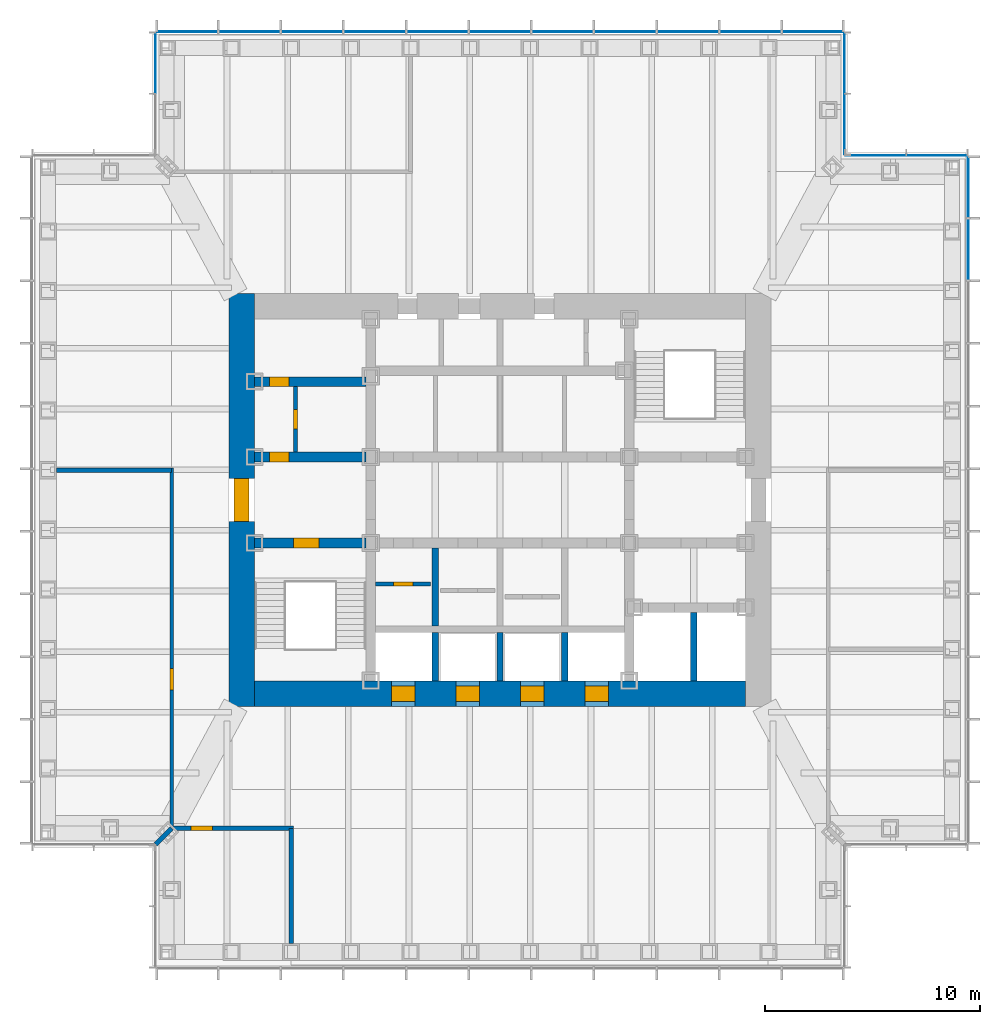
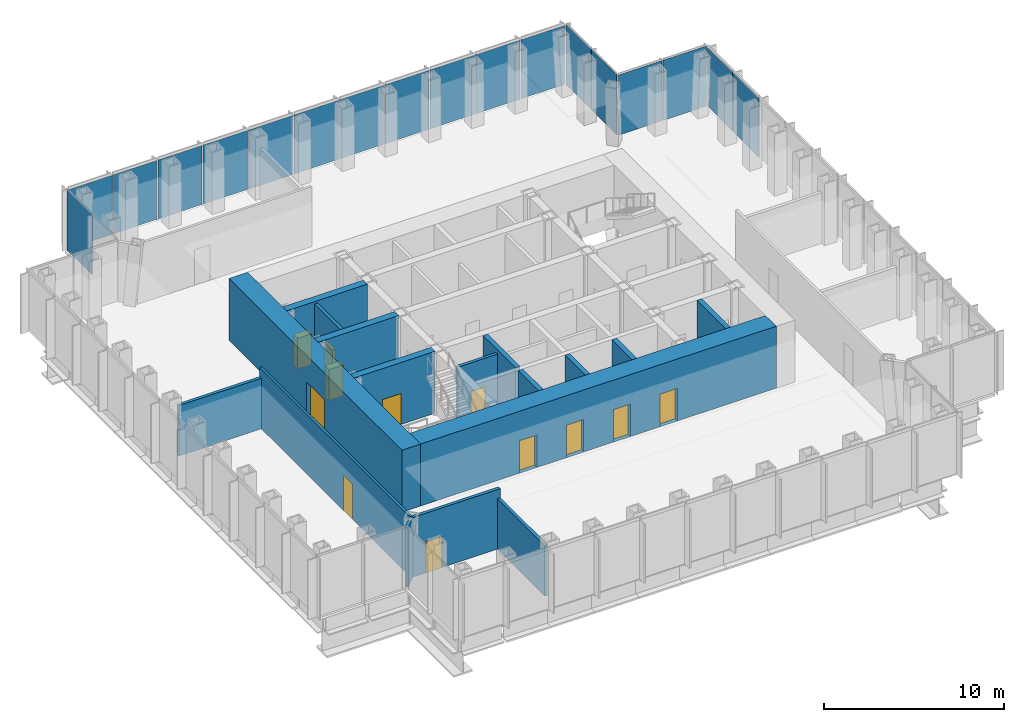
# One storey, part 8 of 14: 18 plates, 17 walls, 12 doors, 12 openings, 5 elements without a shape of their own.
"""IFC4 building model written with IfcOpenShell, lengths in metres."""

from ifc_helpers import new_model, si_unit, direction, frame, frame_2d, origin, origin_2d, place, context, subcontext, project, spatial, rectangle, extrude, material, layer, layer_set, type_object, element, fill, aggregate, save


model = new_model("IFC4")

# Units and contexts
model_context = context("Model", 3, precision=1e-05, world=origin(), true_north=direction((0.0, 1.0)))
body_context = subcontext(model_context, "Body", "Model", "MODEL_VIEW")
ifc_project = project(units=[si_unit("LENGTHUNIT", "METRE"), si_unit("AREAUNIT", "SQUARE_METRE"), si_unit("VOLUMEUNIT", "CUBIC_METRE"), si_unit("PLANEANGLEUNIT", "RADIAN"), si_unit("MASSUNIT", "GRAM", prefix="KILO")], contexts=[model_context])

# Site, building, storey
site_placement = place(None, origin())
site = spatial("IfcSite", under=ifc_project, at=site_placement, CompositionType="ELEMENT")
building_placement = place(site_placement, origin())
building = spatial("IfcBuilding", under=site, at=building_placement, Name="Daluyong Arena Tower", CompositionType="ELEMENT")
storey_placement = place(building_placement, frame((0.0, 0.0, 250.300048828125)))
storey = spatial("IfcBuildingStorey", under=building, at=storey_placement, Name="L56", CompositionType="ELEMENT", Elevation=250.300048828125)

# Curtain wall, plates
ifc_material_1 = material(Name="Bronze anodised aluminium and glass", Category="aluminium")
curtain_wall_type_1 = type_object("IfcCurtainWallType", Name="Curtain wall CW4", PredefinedType="USERDEFINED", material=ifc_material_1)
curtain_wall_1_placement = place(storey_placement, origin())
curtain_wall_1 = element("IfcCurtainWall", 1, at=curtain_wall_1_placement, inside=storey, type_object=curtain_wall_type_1, Name="curtain wall L56 E", ObjectType="UNITISED CURTAIN WALL", PredefinedType="USERDEFINED")
ifc_material_2 = material(Name="Tinted laminated double glazed unit", Category="glass")
ifc_layer_1 = layer(ifc_material_2, 0.035888671875)
ifc_layer_set_1 = layer_set([ifc_layer_1], Name="Tinted laminated double glazed unit")
plate_type_1 = type_object("IfcPlateType", Name="CW4 panel 36", PredefinedType="CURTAIN_PANEL", material=ifc_layer_set_1)
plate_1_placement = place(storey_placement, frame((77.75, 91.636474609375, 0.0), z_axis=(0.0, 0.0, 1.0), x_axis=(0.0, 1.0, 0.0)))
plate_1 = element("IfcPlate", 2, at=plate_1_placement, type_object=plate_type_1, Name="curtain wall L56 E panel 10", PredefinedType="CURTAIN_PANEL", context=body_context, shape_type="SweptSolid", body=[
    extrude(rectangle(XDim=2.819091796875, YDim=0.035888671875, at=origin_2d()), origin(), (0.0, 0.0, 1.0), 4.0),
])
plate_2_placement = place(storey_placement, frame((77.75, 94.52294921875, 0.0), z_axis=(0.0, 0.0, 1.0), x_axis=(0.0, 1.0, 0.0)))
plate_2 = element("IfcPlate", 3, at=plate_2_placement, type_object=plate_type_1, Name="curtain wall L56 E panel 11", PredefinedType="CURTAIN_PANEL", context=body_context, shape_type="SweptSolid", body=[
    extrude(rectangle(XDim=2.774169921875, YDim=0.035888671875, at=origin_2d()), origin(), (0.0, 0.0, 1.0), 4.0),
])
aggregate(curtain_wall_1, [plate_1, plate_2])

curtain_wall_2_placement = place(storey_placement, origin())
curtain_wall_2 = element("IfcCurtainWall", 4, at=curtain_wall_2_placement, inside=storey, type_object=curtain_wall_type_1, Name="curtain wall L56 N", ObjectType="UNITISED CURTAIN WALL", PredefinedType="USERDEFINED")
plate_3_placement = place(storey_placement, frame((70.52294921875, 101.75, 0.0), z_axis=(0.0, 0.0, 1.0), x_axis=(-1.0, 0.0, 0.0)))
plate_3 = element("IfcPlate", 5, at=plate_3_placement, type_object=plate_type_1, Name="curtain wall L56 N panel 1", PredefinedType="CURTAIN_PANEL", context=body_context, shape_type="SweptSolid", body=[
    extrude(rectangle(XDim=2.774169921875, YDim=0.035888671875, at=origin_2d()), origin(), (0.0, 0.0, 1.0), 4.0),
])
plate_4_placement = place(storey_placement, frame((67.636474609375, 101.75, 0.0), z_axis=(0.0, 0.0, 1.0), x_axis=(-1.0, 0.0, 0.0)))
plate_4 = element("IfcPlate", 6, at=plate_4_placement, type_object=plate_type_1, Name="curtain wall L56 N panel 2", PredefinedType="CURTAIN_PANEL", context=body_context, shape_type="SweptSolid", body=[
    extrude(rectangle(XDim=2.819091796875, YDim=0.035888671875, at=origin_2d()), origin(), (0.0, 0.0, 1.0), 4.0),
])
plate_5_placement = place(storey_placement, frame((64.727294921875, 101.75, 0.0), z_axis=(0.0, 0.0, 1.0), x_axis=(-1.0, 0.0, 0.0)))
plate_5 = element("IfcPlate", 7, at=plate_5_placement, type_object=plate_type_1, Name="curtain wall L56 N panel 3", PredefinedType="CURTAIN_PANEL", context=body_context, shape_type="SweptSolid", body=[
    extrude(rectangle(XDim=2.819091796875, YDim=0.035888671875, at=origin_2d()), origin(), (0.0, 0.0, 1.0), 4.0),
])
plate_6_placement = place(storey_placement, frame((61.818115234375, 101.75, 0.0), z_axis=(0.0, 0.0, 1.0), x_axis=(-1.0, 0.0, 0.0)))
plate_6 = element("IfcPlate", 8, at=plate_6_placement, type_object=plate_type_1, Name="curtain wall L56 N panel 4", PredefinedType="CURTAIN_PANEL", context=body_context, shape_type="SweptSolid", body=[
    extrude(rectangle(XDim=2.819091796875, YDim=0.035888671875, at=origin_2d()), origin(), (0.0, 0.0, 1.0), 4.0),
])
plate_7_placement = place(storey_placement, frame((58.9091796875, 101.75, 0.0), z_axis=(0.0, 0.0, 1.0), x_axis=(-1.0, 0.0, 0.0)))
plate_7 = element("IfcPlate", 9, at=plate_7_placement, type_object=plate_type_1, Name="curtain wall L56 N panel 5", PredefinedType="CURTAIN_PANEL", context=body_context, shape_type="SweptSolid", body=[
    extrude(rectangle(XDim=2.819091796875, YDim=0.035888671875, at=origin_2d()), origin(), (0.0, 0.0, 1.0), 4.0),
])
plate_8_placement = place(storey_placement, frame((56.0, 101.75, 0.0), z_axis=(0.0, 0.0, 1.0), x_axis=(-1.0, 0.0, 0.0)))
plate_8 = element("IfcPlate", 10, at=plate_8_placement, type_object=plate_type_1, Name="curtain wall L56 N panel 6", PredefinedType="CURTAIN_PANEL", context=body_context, shape_type="SweptSolid", body=[
    extrude(rectangle(XDim=2.819091796875, YDim=0.035888671875, at=origin_2d()), origin(), (0.0, 0.0, 1.0), 4.0),
])
plate_9_placement = place(storey_placement, frame((53.0908203125, 101.75, 0.0), z_axis=(0.0, 0.0, 1.0), x_axis=(-1.0, 0.0, 0.0)))
plate_9 = element("IfcPlate", 11, at=plate_9_placement, type_object=plate_type_1, Name="curtain wall L56 N panel 7", PredefinedType="CURTAIN_PANEL", context=body_context, shape_type="SweptSolid", body=[
    extrude(rectangle(XDim=2.819091796875, YDim=0.035888671875, at=origin_2d()), origin(), (0.0, 0.0, 1.0), 4.0),
])
plate_10_placement = place(storey_placement, frame((50.181884765625, 101.75, 0.0), z_axis=(0.0, 0.0, 1.0), x_axis=(-1.0, 0.0, 0.0)))
plate_10 = element("IfcPlate", 12, at=plate_10_placement, type_object=plate_type_1, Name="curtain wall L56 N panel 8", PredefinedType="CURTAIN_PANEL", context=body_context, shape_type="SweptSolid", body=[
    extrude(rectangle(XDim=2.819091796875, YDim=0.035888671875, at=origin_2d()), origin(), (0.0, 0.0, 1.0), 4.0),
])
plate_11_placement = place(storey_placement, frame((47.272705078125, 101.75, 0.0), z_axis=(0.0, 0.0, 1.0), x_axis=(-1.0, 0.0, 0.0)))
plate_11 = element("IfcPlate", 13, at=plate_11_placement, type_object=plate_type_1, Name="curtain wall L56 N panel 9", PredefinedType="CURTAIN_PANEL", context=body_context, shape_type="SweptSolid", body=[
    extrude(rectangle(XDim=2.819091796875, YDim=0.035888671875, at=origin_2d()), origin(), (0.0, 0.0, 1.0), 4.0),
])
plate_12_placement = place(storey_placement, frame((44.363525390625, 101.75, 0.0), z_axis=(0.0, 0.0, 1.0), x_axis=(-1.0, 0.0, 0.0)))
plate_12 = element("IfcPlate", 14, at=plate_12_placement, type_object=plate_type_1, Name="curtain wall L56 N panel 10", PredefinedType="CURTAIN_PANEL", context=body_context, shape_type="SweptSolid", body=[
    extrude(rectangle(XDim=2.819091796875, YDim=0.035888671875, at=origin_2d()), origin(), (0.0, 0.0, 1.0), 4.0),
])
plate_13_placement = place(storey_placement, frame((41.47705078125, 101.75, 0.0), z_axis=(0.0, 0.0, 1.0), x_axis=(-1.0, 0.0, 0.0)))
plate_13 = element("IfcPlate", 15, at=plate_13_placement, type_object=plate_type_1, Name="curtain wall L56 N panel 11", PredefinedType="CURTAIN_PANEL", context=body_context, shape_type="SweptSolid", body=[
    extrude(rectangle(XDim=2.774169921875, YDim=0.035888671875, at=origin_2d()), origin(), (0.0, 0.0, 1.0), 4.0),
])
aggregate(curtain_wall_2, [plate_3, plate_4, plate_5, plate_6, plate_7, plate_8, plate_9, plate_10, plate_11, plate_12, plate_13])

ifc_material_3 = material(Name="Bronze anodised aluminium and glass", Category="aluminium")
curtain_wall_type_2 = type_object("IfcCurtainWallType", Name="Curtain wall CW7", PredefinedType="USERDEFINED", material=ifc_material_3)
curtain_wall_3_placement = place(storey_placement, origin())
curtain_wall_3 = element("IfcCurtainWall", 16, at=curtain_wall_3_placement, inside=storey, type_object=curtain_wall_type_2, Name="curtain wall L56 NE-N", ObjectType="UNITISED CURTAIN WALL", PredefinedType="USERDEFINED")
ifc_material_4 = material(Name="Tinted double glazed unit", Category="glass")
ifc_layer_2 = layer(ifc_material_4, 0.028076171875)
ifc_layer_set_2 = layer_set([ifc_layer_2], Name="Tinted double glazed unit")
plate_type_2 = type_object("IfcPlateType", Name="CW7 panel 28", PredefinedType="CURTAIN_PANEL", material=ifc_layer_set_2)
plate_14_placement = place(storey_placement, frame((76.297607421875, 96.0, 0.0), z_axis=(0.0, 0.0, 1.0), x_axis=(-1.0, 0.0, 0.0)))
plate_14 = element("IfcPlate", 17, at=plate_14_placement, type_object=plate_type_2, Name="curtain wall L56 NE-N panel 1", PredefinedType="CURTAIN_PANEL", context=body_context, shape_type="SweptSolid", body=[
    extrude(rectangle(XDim=2.784912109375, YDim=0.028076171875, at=origin_2d()), origin(), (0.0, 0.0, 1.0), 4.080078125),
])
plate_15_placement = place(storey_placement, frame((73.452392578125, 96.0, 0.0), z_axis=(0.0, 0.0, 1.0), x_axis=(-1.0, 0.0, 0.0)))
plate_15 = element("IfcPlate", 18, at=plate_15_placement, type_object=plate_type_2, Name="curtain wall L56 NE-N panel 2", PredefinedType="CURTAIN_PANEL", context=body_context, shape_type="SweptSolid", body=[
    extrude(rectangle(XDim=2.784912109375, YDim=0.028076171875, at=origin_2d()), origin(), (0.0, 0.0, 1.0), 4.080078125),
])
aggregate(curtain_wall_3, [plate_14, plate_15])

curtain_wall_4_placement = place(storey_placement, origin())
curtain_wall_4 = element("IfcCurtainWall", 19, at=curtain_wall_4_placement, inside=storey, type_object=curtain_wall_type_2, Name="curtain wall L56 NE-E", ObjectType="UNITISED CURTAIN WALL", PredefinedType="USERDEFINED")
plate_16_placement = place(storey_placement, frame((72.0, 97.452392578125, 0.0), z_axis=(0.0, 0.0, 1.0), x_axis=(0.0, 1.0, 0.0)))
plate_16 = element("IfcPlate", 20, at=plate_16_placement, type_object=plate_type_2, Name="curtain wall L56 NE-E panel 1", PredefinedType="CURTAIN_PANEL", context=body_context, shape_type="SweptSolid", body=[
    extrude(rectangle(XDim=2.784912109375, YDim=0.028076171875, at=origin_2d()), origin(), (0.0, 0.0, 1.0), 4.080078125),
])
plate_17_placement = place(storey_placement, frame((72.0, 100.297607421875, 0.0), z_axis=(0.0, 0.0, 1.0), x_axis=(0.0, 1.0, 0.0)))
plate_17 = element("IfcPlate", 21, at=plate_17_placement, type_object=plate_type_2, Name="curtain wall L56 NE-E panel 2", PredefinedType="CURTAIN_PANEL", context=body_context, shape_type="SweptSolid", body=[
    extrude(rectangle(XDim=2.784912109375, YDim=0.028076171875, at=origin_2d()), origin(), (0.0, 0.0, 1.0), 4.080078125),
])
aggregate(curtain_wall_4, [plate_16, plate_17])

# Curtain wall, plate
curtain_wall_5_placement = place(storey_placement, origin())
curtain_wall_5 = element("IfcCurtainWall", 22, at=curtain_wall_5_placement, inside=storey, type_object=curtain_wall_type_2, Name="curtain wall L56 NW-W", ObjectType="UNITISED CURTAIN WALL", PredefinedType="USERDEFINED")
plate_18_placement = place(storey_placement, frame((40.0, 100.297607421875, 0.0), z_axis=(0.0, 0.0, 1.0), x_axis=(0.0, -1.0, 0.0)))
plate_18 = element("IfcPlate", 23, at=plate_18_placement, type_object=plate_type_2, Name="curtain wall L56 NW-W panel 1", PredefinedType="CURTAIN_PANEL", context=body_context, shape_type="SweptSolid", body=[
    extrude(rectangle(XDim=2.784912109375, YDim=0.028076171875, at=origin_2d()), origin(), (0.0, 0.0, 1.0), 4.080078125),
])
aggregate(curtain_wall_5, [plate_18])

# Wall, opening, door
ifc_material_5 = material(Name="Concrete fc' 45 MPa", Category="concrete")
ifc_layer_3 = layer(ifc_material_5, 0.449951171875)
ifc_layer_set_3 = layer_set([ifc_layer_3], Name="Concrete fc' 45 MPa")
wall_type_1 = type_object("IfcWallType", Name="Core inner wall 450", PredefinedType="SHEAR", material=ifc_layer_set_3)
wall_1_placement = place(storey_placement, frame((44.60009765625, 78.0, 0.0), z_axis=(0.0, 0.0, 1.0), x_axis=(1.0, 0.0, 0.0)))
wall_1 = element("IfcWall", 24, at=wall_1_placement, inside=storey, type_object=wall_type_1, Name="core inner wall at L56", PredefinedType="SHEAR", context=body_context, shape_type="SweptSolid", body=[
    extrude(rectangle(XDim=5.1748046875, YDim=0.449951171875, at=frame_2d((2.58740234375, 0.0))), origin(), (0.0, 0.0, 1.0), 4.199951171875),
])
opening_1_placement = place(wall_1_placement, frame((1.800048828125, 0.0, 0.0)))
opening_1 = element("IfcOpeningElement", 25, at=opening_1_placement, cuts=wall_1, Name="Opening 56019", PredefinedType="OPENING", context=body_context, shape_type="SweptSolid", body=[
    extrude(rectangle(XDim=1.199951171875, YDim=2.10009765625, at=frame_2d((0.60009765625, 1.050048828125))), frame((0.0, 0.23486328125, 0.0), z_axis=(0.0, -1.0, 0.0), x_axis=(1.0, 0.0, 0.0)), (0.0, 0.0, 1.0), 0.469970703125),
])
ifc_material_6 = material(Name="Steel door, fire rated", Category="steel")
door_type_1 = type_object("IfcDoorType", Name="Stair door 1200", OperationType="SINGLE_SWING_LEFT", PredefinedType="DOOR", material=ifc_material_6)
door_1_placement = place(opening_1_placement, origin())
door_1 = element("IfcDoor", 26, at=door_1_placement, inside=storey, type_object=door_type_1, Name="stair A door 56019", OperationType="SINGLE_SWING_LEFT", OverallHeight=2.10009765625, OverallWidth=1.199951171875, PredefinedType="DOOR", context=body_context, shape_type="SweptSolid", body=[
    extrude(rectangle(XDim=1.199951171875, YDim=2.10009765625, at=frame_2d((0.60009765625, 1.050048828125))), frame((0.0, 0.224609375, 0.0), z_axis=(0.0, -1.0, 0.0), x_axis=(1.0, 0.0, 0.0)), (0.0, 0.0, 1.0), 0.449462890625),
])
fill(opening_1, door_1)

wall_2_placement = place(storey_placement, frame((44.60009765625, 82.0, 0.0), z_axis=(0.0, 0.0, 1.0), x_axis=(1.0, 0.0, 0.0)))
wall_2 = element("IfcWall", 27, at=wall_2_placement, inside=storey, type_object=wall_type_1, Name="core inner wall at L56", PredefinedType="SHEAR", context=body_context, shape_type="SweptSolid", body=[
    extrude(rectangle(XDim=5.1748046875, YDim=0.449951171875, at=frame_2d((2.58740234375, 0.0))), origin(), (0.0, 0.0, 1.0), 4.199951171875),
])
opening_2_placement = place(wall_2_placement, frame((0.699951171875, 0.0, 0.0)))
opening_2 = element("IfcOpeningElement", 28, at=opening_2_placement, cuts=wall_2, Name="Opening 56001", PredefinedType="OPENING", context=body_context, shape_type="SweptSolid", body=[
    extrude(rectangle(XDim=0.89990234375, YDim=2.10009765625, at=frame_2d((0.449951171875, 1.050048828125))), frame((0.0, 0.23486328125, 0.0), z_axis=(0.0, -1.0, 0.0), x_axis=(1.0, 0.0, 0.0)), (0.0, 0.0, 1.0), 0.469970703125),
])
ifc_material_7 = material(Name="Steel door, fire rated", Category="steel")
door_type_2 = type_object("IfcDoorType", Name="Core room door 900", OperationType="SINGLE_SWING_LEFT", PredefinedType="DOOR", material=ifc_material_7)
door_2_placement = place(opening_2_placement, origin())
door_2 = element("IfcDoor", 29, at=door_2_placement, inside=storey, type_object=door_type_2, Name="toilet lobby door 56001", OperationType="SINGLE_SWING_LEFT", OverallHeight=2.10009765625, OverallWidth=0.89990234375, PredefinedType="DOOR", context=body_context, shape_type="SweptSolid", body=[
    extrude(rectangle(XDim=0.89990234375, YDim=2.10009765625, at=frame_2d((0.449951171875, 1.050048828125))), frame((0.0, 0.224609375, 0.0), z_axis=(0.0, -1.0, 0.0), x_axis=(1.0, 0.0, 0.0)), (0.0, 0.0, 1.0), 0.449462890625),
])
fill(opening_2, door_2)

wall_3_placement = place(storey_placement, frame((44.60009765625, 85.5, 0.0), z_axis=(0.0, 0.0, 1.0), x_axis=(1.0, 0.0, 0.0)))
wall_3 = element("IfcWall", 30, at=wall_3_placement, inside=storey, type_object=wall_type_1, Name="core inner wall at L56", PredefinedType="SHEAR", context=body_context, shape_type="SweptSolid", body=[
    extrude(rectangle(XDim=5.1748046875, YDim=0.449951171875, at=frame_2d((2.58740234375, 0.0))), origin(), (0.0, 0.0, 1.0), 4.199951171875),
])
opening_3_placement = place(wall_3_placement, frame((0.699951171875, 0.0, 0.0)))
opening_3 = element("IfcOpeningElement", 31, at=opening_3_placement, cuts=wall_3, Name="Opening 56003", PredefinedType="OPENING", context=body_context, shape_type="SweptSolid", body=[
    extrude(rectangle(XDim=0.89990234375, YDim=2.10009765625, at=frame_2d((0.449951171875, 1.050048828125))), frame((0.0, 0.23486328125, 0.0), z_axis=(0.0, -1.0, 0.0), x_axis=(1.0, 0.0, 0.0)), (0.0, 0.0, 1.0), 0.469970703125),
])
ifc_material_8 = material(Name="Timber door", Category="wood")
door_type_3 = type_object("IfcDoorType", Name="Toilet door 900", OperationType="SINGLE_SWING_RIGHT", PredefinedType="DOOR", material=ifc_material_8)
door_3_placement = place(opening_3_placement, origin())
door_3 = element("IfcDoor", 32, at=door_3_placement, inside=storey, type_object=door_type_3, Name="female toilet door 56003", OperationType="SINGLE_SWING_RIGHT", OverallHeight=2.10009765625, OverallWidth=0.89990234375, PredefinedType="DOOR", context=body_context, shape_type="SweptSolid", body=[
    extrude(rectangle(XDim=0.89990234375, YDim=2.10009765625, at=frame_2d((0.449951171875, 1.050048828125))), frame((0.0, 0.224609375, 0.0), z_axis=(0.0, -1.0, 0.0), x_axis=(1.0, 0.0, 0.0)), (0.0, 0.0, 1.0), 0.449462890625),
])
fill(opening_3, door_3)

ifc_material_9 = material(Name="Concrete fc' 60 MPa", Category="concrete")
ifc_layer_4 = layer(ifc_material_9, 1.199951171875)
ifc_layer_set_4 = layer_set([ifc_layer_4], Name="Concrete fc' 60 MPa")
wall_type_2 = type_object("IfcWallType", Name="Core wall 1200", PredefinedType="SHEAR", material=ifc_layer_set_4)
wall_4_placement = place(storey_placement, frame((44.0, 70.39990234375, 0.0), z_axis=(0.0, 0.0, 1.0), x_axis=(0.0, 1.0, 0.0)))
wall_4 = element("IfcWall", 33, at=wall_4_placement, inside=storey, type_object=wall_type_2, Name="core wall at L56", PredefinedType="SHEAR", context=body_context, shape_type="SweptSolid", body=[
    extrude(rectangle(XDim=19.2001953125, YDim=1.199951171875, at=frame_2d((9.60009765625, 0.0))), origin(), (0.0, 0.0, 1.0), 4.199951171875),
])
opening_4_placement = place(wall_4_placement, frame((8.60009765625, 0.0, 0.0)))
opening_4 = element("IfcOpeningElement", 34, at=opening_4_placement, cuts=wall_4, Name="Opening 56021", PredefinedType="OPENING", context=body_context, shape_type="SweptSolid", body=[
    extrude(rectangle(XDim=2.0, YDim=2.39990234375, at=frame_2d((1.0, 1.199951171875))), frame((0.0, 0.60986328125, 0.0), z_axis=(0.0, -1.0, 0.0), x_axis=(1.0, 0.0, 0.0)), (0.0, 0.0, 1.0), 1.219970703125),
])
ifc_material_10 = material(Name="Steel door, fire rated", Category="steel")
door_type_4 = type_object("IfcDoorType", Name="Core lobby double door 2000", OperationType="DOUBLE_DOOR_SINGLE_SWING", PredefinedType="DOOR", material=ifc_material_10)
door_4_placement = place(opening_4_placement, origin())
door_4 = element("IfcDoor", 35, at=door_4_placement, inside=storey, type_object=door_type_4, Name="core lobby door west 56021", OperationType="DOUBLE_DOOR_SINGLE_SWING", OverallHeight=2.39990234375, OverallWidth=2.0, PredefinedType="DOOR", context=body_context, shape_type="SweptSolid", body=[
    extrude(rectangle(XDim=2.0, YDim=2.39990234375, at=frame_2d((1.0, 1.199951171875))), frame((0.0, 0.35009765625, 0.0), z_axis=(0.0, -1.0, 0.0), x_axis=(1.0, 0.0, 0.0)), (0.0, 0.0, 1.0), 0.699951171875),
])
fill(opening_4, door_4)

# Wall, openings, doors
wall_5_placement = place(storey_placement, frame((44.60009765625, 71.0, 0.0), z_axis=(0.0, 0.0, 1.0), x_axis=(1.0, 0.0, 0.0)))
wall_5 = element("IfcWall", 36, at=wall_5_placement, inside=storey, type_object=wall_type_2, Name="core wall at L56", PredefinedType="SHEAR", context=body_context, shape_type="SweptSolid", body=[
    extrude(rectangle(XDim=22.7998046875, YDim=1.199951171875, at=frame_2d((11.39990234375, 0.0))), origin(), (0.0, 0.0, 1.0), 4.199951171875),
])
opening_5_placement = place(wall_5_placement, frame((6.35009765625, 0.0, 0.0)))
opening_5 = element("IfcOpeningElement", 37, at=opening_5_placement, cuts=wall_5, Name="Opening 56026", PredefinedType="OPENING", context=body_context, shape_type="SweptSolid", body=[
    extrude(rectangle(XDim=1.10009765625, YDim=2.199951171875, at=frame_2d((0.550048828125, 1.10009765625))), frame((0.0, 0.60986328125, 0.0), z_axis=(0.0, -1.0, 0.0), x_axis=(1.0, 0.0, 0.0)), (0.0, 0.0, 1.0), 1.219970703125),
])
opening_6_placement = place(wall_5_placement, frame((9.35009765625, 0.0, 0.0)))
opening_6 = element("IfcOpeningElement", 38, at=opening_6_placement, cuts=wall_5, Name="Opening 56027", PredefinedType="OPENING", context=body_context, shape_type="SweptSolid", body=[
    extrude(rectangle(XDim=1.10009765625, YDim=2.199951171875, at=frame_2d((0.550048828125, 1.10009765625))), frame((0.0, 0.60986328125, 0.0), z_axis=(0.0, -1.0, 0.0), x_axis=(1.0, 0.0, 0.0)), (0.0, 0.0, 1.0), 1.219970703125),
])
opening_7_placement = place(wall_5_placement, frame((12.35009765625, 0.0, 0.0)))
opening_7 = element("IfcOpeningElement", 39, at=opening_7_placement, cuts=wall_5, Name="Opening 56028", PredefinedType="OPENING", context=body_context, shape_type="SweptSolid", body=[
    extrude(rectangle(XDim=1.10009765625, YDim=2.199951171875, at=frame_2d((0.550048828125, 1.10009765625))), frame((0.0, 0.60986328125, 0.0), z_axis=(0.0, -1.0, 0.0), x_axis=(1.0, 0.0, 0.0)), (0.0, 0.0, 1.0), 1.219970703125),
])
opening_8_placement = place(wall_5_placement, frame((15.35009765625, 0.0, 0.0)))
opening_8 = element("IfcOpeningElement", 40, at=opening_8_placement, cuts=wall_5, Name="Opening 56029", PredefinedType="OPENING", context=body_context, shape_type="SweptSolid", body=[
    extrude(rectangle(XDim=1.10009765625, YDim=2.199951171875, at=frame_2d((0.550048828125, 1.10009765625))), frame((0.0, 0.60986328125, 0.0), z_axis=(0.0, -1.0, 0.0), x_axis=(1.0, 0.0, 0.0)), (0.0, 0.0, 1.0), 1.219970703125),
])
ifc_material_11 = material(Name="Steel door, fire rated", Category="steel")
door_type_5 = type_object("IfcDoorType", Name="Lift landing door 1100", OperationType="SLIDING_TO_LEFT", PredefinedType="DOOR", material=ifc_material_11)
door_5_placement = place(opening_5_placement, origin())
door_5 = element("IfcDoor", 41, at=door_5_placement, inside=storey, type_object=door_type_5, Name="lift landing door C1 56026", OperationType="SLIDING_TO_LEFT", OverallHeight=2.199951171875, OverallWidth=1.10009765625, PredefinedType="DOOR", context=body_context, shape_type="SweptSolid", body=[
    extrude(rectangle(XDim=1.10009765625, YDim=2.199951171875, at=frame_2d((0.550048828125, 1.10009765625))), frame((0.0, 0.35009765625, 0.0), z_axis=(0.0, -1.0, 0.0), x_axis=(1.0, 0.0, 0.0)), (0.0, 0.0, 1.0), 0.699951171875),
])
fill(opening_5, door_5)
door_6_placement = place(opening_6_placement, origin())
door_6 = element("IfcDoor", 42, at=door_6_placement, inside=storey, type_object=door_type_5, Name="lift landing door C2 56027", OperationType="SLIDING_TO_LEFT", OverallHeight=2.199951171875, OverallWidth=1.10009765625, PredefinedType="DOOR", context=body_context, shape_type="SweptSolid", body=[
    extrude(rectangle(XDim=1.10009765625, YDim=2.199951171875, at=frame_2d((0.550048828125, 1.10009765625))), frame((0.0, 0.35009765625, 0.0), z_axis=(0.0, -1.0, 0.0), x_axis=(1.0, 0.0, 0.0)), (0.0, 0.0, 1.0), 0.699951171875),
])
fill(opening_6, door_6)
door_7_placement = place(opening_7_placement, origin())
door_7 = element("IfcDoor", 43, at=door_7_placement, inside=storey, type_object=door_type_5, Name="lift landing door C3 56028", OperationType="SLIDING_TO_LEFT", OverallHeight=2.199951171875, OverallWidth=1.10009765625, PredefinedType="DOOR", context=body_context, shape_type="SweptSolid", body=[
    extrude(rectangle(XDim=1.10009765625, YDim=2.199951171875, at=frame_2d((0.550048828125, 1.10009765625))), frame((0.0, 0.35009765625, 0.0), z_axis=(0.0, -1.0, 0.0), x_axis=(1.0, 0.0, 0.0)), (0.0, 0.0, 1.0), 0.699951171875),
])
fill(opening_7, door_7)
door_8_placement = place(opening_8_placement, origin())
door_8 = element("IfcDoor", 44, at=door_8_placement, inside=storey, type_object=door_type_5, Name="lift landing door C4 56029", OperationType="SLIDING_TO_LEFT", OverallHeight=2.199951171875, OverallWidth=1.10009765625, PredefinedType="DOOR", context=body_context, shape_type="SweptSolid", body=[
    extrude(rectangle(XDim=1.10009765625, YDim=2.199951171875, at=frame_2d((0.550048828125, 1.10009765625))), frame((0.0, 0.35009765625, 0.0), z_axis=(0.0, -1.0, 0.0), x_axis=(1.0, 0.0, 0.0)), (0.0, 0.0, 1.0), 0.699951171875),
])
fill(opening_8, door_8)

# Wall, opening, door
ifc_material_12 = material(Name="Concrete block partition, fire rated", Category="concrete")
ifc_layer_5 = layer(ifc_material_12, 0.199951171875)
ifc_layer_set_5 = layer_set([ifc_layer_5], Name="Concrete block partition, fire rated")
wall_type_3 = type_object("IfcWallType", Name="Fire-rated partition 200", PredefinedType="PARTITIONING", material=ifc_layer_set_5)
wall_6_placement = place(storey_placement, frame((46.5, 82.22509765625, 0.0), z_axis=(0.0, 0.0, 1.0), x_axis=(0.0, 1.0, 0.0)))
wall_6 = element("IfcWall", 45, at=wall_6_placement, inside=storey, type_object=wall_type_3, Name="toilet lobby partition at L56", PredefinedType="PARTITIONING", context=body_context, shape_type="SweptSolid", body=[
    extrude(rectangle(XDim=3.0498046875, YDim=0.199951171875, at=frame_2d((1.52490234375, 0.0))), origin(), (0.0, 0.0, 1.0), 4.0400390625),
])
opening_9_placement = place(wall_6_placement, frame((1.074951171875, 0.0, 0.0)))
opening_9 = element("IfcOpeningElement", 46, at=opening_9_placement, cuts=wall_6, Name="Opening 56002", PredefinedType="OPENING", context=body_context, shape_type="SweptSolid", body=[
    extrude(rectangle(XDim=0.89990234375, YDim=2.10009765625, at=frame_2d((0.449951171875, 1.050048828125))), frame((0.0, 0.10986328125, 0.0), z_axis=(0.0, -1.0, 0.0), x_axis=(1.0, 0.0, 0.0)), (0.0, 0.0, 1.0), 0.219970703125),
])
door_9_placement = place(opening_9_placement, origin())
door_9 = element("IfcDoor", 47, at=door_9_placement, inside=storey, type_object=door_type_3, Name="male toilet door 56002", OperationType="SINGLE_SWING_RIGHT", OverallHeight=2.10009765625, OverallWidth=0.89990234375, PredefinedType="DOOR", context=body_context, shape_type="SweptSolid", body=[
    extrude(rectangle(XDim=0.89990234375, YDim=2.10009765625, at=frame_2d((0.449951171875, 1.050048828125))), frame((0.0, 0.099609375, 0.0), z_axis=(0.0, -1.0, 0.0), x_axis=(1.0, 0.0, 0.0)), (0.0, 0.0, 1.0), 0.199462890625),
])
fill(opening_9, door_9)

wall_7_placement = place(storey_placement, frame((50.22509765625, 76.10009765625, 0.0), z_axis=(0.0, 0.0, 1.0), x_axis=(1.0, 0.0, 0.0)))
wall_7 = element("IfcWall", 48, at=wall_7_placement, inside=storey, type_object=wall_type_3, Name="back store partition at L56", PredefinedType="PARTITIONING", context=body_context, shape_type="SweptSolid", body=[
    extrude(rectangle(XDim=2.5498046875, YDim=0.199951171875, at=frame_2d((1.27490234375, 0.0))), origin(), (0.0, 0.0, 1.0), 4.0400390625),
])
opening_10_placement = place(wall_7_placement, frame((0.824951171875, 0.0, 0.0)))
opening_10 = element("IfcOpeningElement", 49, at=opening_10_placement, cuts=wall_7, Name="Opening 56009", PredefinedType="OPENING", context=body_context, shape_type="SweptSolid", body=[
    extrude(rectangle(XDim=0.89990234375, YDim=2.10009765625, at=frame_2d((0.449951171875, 1.050048828125))), frame((0.0, 0.10986328125, 0.0), z_axis=(0.0, -1.0, 0.0), x_axis=(1.0, 0.0, 0.0)), (0.0, 0.0, 1.0), 0.219970703125),
])
ifc_material_13 = material(Name="Steel door, fire rated", Category="steel")
door_type_6 = type_object("IfcDoorType", Name="Core store door 900", OperationType="SINGLE_SWING_LEFT", PredefinedType="DOOR", material=ifc_material_13)
door_10_placement = place(opening_10_placement, origin())
door_10 = element("IfcDoor", 50, at=door_10_placement, inside=storey, type_object=door_type_6, Name="facilities store door 56009", OperationType="SINGLE_SWING_LEFT", OverallHeight=2.10009765625, OverallWidth=0.89990234375, PredefinedType="DOOR", context=body_context, shape_type="SweptSolid", body=[
    extrude(rectangle(XDim=0.89990234375, YDim=2.10009765625, at=frame_2d((0.449951171875, 1.050048828125))), frame((0.0, 0.099609375, 0.0), z_axis=(0.0, -1.0, 0.0), x_axis=(1.0, 0.0, 0.0)), (0.0, 0.0, 1.0), 0.199462890625),
])
fill(opening_10, door_10)

ifc_material_14 = material(Name="Glazed aluminium partition", Category="aluminium")
ifc_layer_6 = layer(ifc_material_14, 0.14990234375)
ifc_layer_set_6 = layer_set([ifc_layer_6], Name="Glazed aluminium partition")
wall_type_4 = type_object("IfcWallType", Name="Glazed partition 150", PredefinedType="PARTITIONING", material=ifc_layer_set_6)
wall_8_placement = place(storey_placement, frame((40.75, 64.75, 0.0), z_axis=(0.0, 0.0, 1.0), x_axis=(0.0, 1.0, 0.0)))
wall_8 = element("IfcWall", 51, at=wall_8_placement, inside=storey, type_object=wall_type_4, Name="glazed partition at L56", PredefinedType="PARTITIONING", context=body_context, shape_type="SweptSolid", body=[
    extrude(rectangle(XDim=16.736328125, YDim=0.14990234375, at=frame_2d((8.3681640625, 0.0))), origin(), (0.0, 0.0, 1.0), 4.0400390625),
])
opening_11_placement = place(wall_8_placement, frame((6.431884765625, 0.0, 0.0)))
opening_11 = element("IfcOpeningElement", 52, at=opening_11_placement, cuts=wall_8, Name="Opening 56036", PredefinedType="OPENING", context=body_context, shape_type="SweptSolid", body=[
    extrude(rectangle(XDim=1.0, YDim=2.39990234375, at=frame_2d((0.5, 1.199951171875))), frame((0.0, 0.0849609375, 0.0), z_axis=(0.0, -1.0, 0.0), x_axis=(1.0, 0.0, 0.0)), (0.0, 0.0, 1.0), 0.169921875),
])
ifc_material_15 = material(Name="Glazed aluminium door", Category="aluminium")
door_type_7 = type_object("IfcDoorType", Name="Meeting room glazed door 1000", OperationType="SINGLE_SWING_RIGHT", PredefinedType="DOOR", material=ifc_material_15)
door_11_placement = place(opening_11_placement, origin())
door_11 = element("IfcDoor", 53, at=door_11_placement, inside=storey, type_object=door_type_7, Name="executive lounge door 56036", OperationType="SINGLE_SWING_RIGHT", OverallHeight=2.39990234375, OverallWidth=1.0, PredefinedType="DOOR", context=body_context, shape_type="SweptSolid", body=[
    extrude(rectangle(XDim=1.0, YDim=2.39990234375, at=frame_2d((0.5, 1.199951171875))), frame((0.0, 0.07470703125, 0.0), z_axis=(0.0, -1.0, 0.0), x_axis=(1.0, 0.0, 0.0)), (0.0, 0.0, 1.0), 0.1494140625),
])
fill(opening_11, door_11)

# Walls
ifc_material_16 = material(Name="Concrete fc' 45 MPa", Category="concrete")
ifc_layer_7 = layer(ifc_material_16, 0.300048828125)
ifc_layer_set_7 = layer_set([ifc_layer_7], Name="Concrete fc' 45 MPa")
wall_type_5 = type_object("IfcWallType", Name="Lift shaft wall 300", PredefinedType="SHEAR", material=ifc_layer_set_7)
wall_9_placement = place(storey_placement, frame((53.0, 71.60009765625, 0.0), z_axis=(0.0, 0.0, 1.0), x_axis=(0.0, 1.0, 0.0)))
element("IfcWall", 54, at=wall_9_placement, inside=storey, type_object=wall_type_5, Name="lift shaft wall at L56", PredefinedType="SHEAR", context=body_context, shape_type="SweptSolid", body=[
    extrude(rectangle(XDim=2.25, YDim=0.300048828125, at=frame_2d((1.125, 0.0))), origin(), (0.0, 0.0, 1.0), 4.199951171875),
])
wall_10_placement = place(storey_placement, frame((53.0, 74.14990234375, 0.0), z_axis=(0.0, 0.0, 1.0), x_axis=(0.0, 1.0, 0.0)))
element("IfcWall", 55, at=wall_10_placement, inside=storey, type_object=wall_type_5, Name="lift shaft wall at L56", PredefinedType="SHEAR", context=body_context, shape_type="SweptSolid", body=[
    extrude(rectangle(XDim=3.625, YDim=0.300048828125, at=frame_2d((1.8125, 0.0))), origin(), (0.0, 0.0, 1.0), 4.199951171875),
])
for number, where, z_axis, x_axis, name in (
    (56, (56.0, 71.60009765625, 0.0), (0.0, 0.0, 1.0), (0.0, 1.0, 0.0), "lift shaft wall at L56"),
    (57, (59.0, 71.60009765625, 0.0), (0.0, 0.0, 1.0), (0.0, 1.0, 0.0), "lift shaft wall at L56"),
):
    element("IfcWall", number, at=place(storey_placement, frame(where, z_axis=z_axis, x_axis=x_axis)), inside=storey, type_object=wall_type_5, Name=name, PredefinedType="SHEAR", context=body_context, shape_type="SweptSolid", body=[
        extrude(rectangle(XDim=2.25, YDim=0.300048828125, at=frame_2d((1.125, 0.0))), origin(), (0.0, 0.0, 1.0), 4.199951171875),
    ])
wall_11_placement = place(storey_placement, frame((65.0, 71.60009765625, 0.0), z_axis=(0.0, 0.0, 1.0), x_axis=(0.0, 1.0, 0.0)))
element("IfcWall", 58, at=wall_11_placement, inside=storey, type_object=wall_type_5, Name="lift shaft wall at L56", PredefinedType="SHEAR", context=body_context, shape_type="SweptSolid", body=[
    extrude(rectangle(XDim=3.1748046875, YDim=0.300048828125, at=frame_2d((1.58740234375, 0.0))), origin(), (0.0, 0.0, 1.0), 4.199951171875),
])
ifc_material_17 = material(Name="Concrete block partition", Category="concrete")
ifc_layer_8 = layer(ifc_material_17, 0.199951171875)
ifc_layer_set_8 = layer_set([ifc_layer_8], Name="Concrete block partition")
wall_type_6 = type_object("IfcWallType", Name="Partition 200", PredefinedType="PARTITIONING", material=ifc_layer_set_8)
for number, where, z_axis, x_axis, name in (
    (59, (46.29541015625, 59.39990234375, 0.0), (0.0, 0.0, 1.0), (0.0, 1.0, 0.0), "partition at L56"),
    (60, (35.39990234375, 81.386474609375, 0.0), (0.0, 0.0, 1.0), (1.0, 0.0, 0.0), "partition at L56"),
):
    element("IfcWall", number, at=place(storey_placement, frame(where, z_axis=z_axis, x_axis=x_axis)), inside=storey, type_object=wall_type_6, Name=name, PredefinedType="PARTITIONING", context=body_context, shape_type="SweptSolid", body=[
        extrude(rectangle(XDim=5.35009765625, YDim=0.199951171875, at=frame_2d((2.675048828125, 0.0))), origin(), (0.0, 0.0, 1.0), 3.427734375),
    ])

# Wall, opening, door
wall_12_placement = place(storey_placement, frame((40.75, 64.75, 0.0), z_axis=(0.0, 0.0, 1.0), x_axis=(1.0, 0.0, 0.0)))
wall_12 = element("IfcWall", 61, at=wall_12_placement, inside=storey, type_object=wall_type_6, Name="partition at L56", PredefinedType="PARTITIONING", context=body_context, shape_type="SweptSolid", body=[
    extrude(rectangle(XDim=5.6455078125, YDim=0.199951171875, at=frame_2d((2.82275390625, 0.0))), origin(), (0.0, 0.0, 1.0), 4.0400390625),
])
opening_12_placement = place(wall_12_placement, frame((0.886474609375, 0.0, 0.0)))
opening_12 = element("IfcOpeningElement", 62, at=opening_12_placement, cuts=wall_12, Name="Opening 56032", PredefinedType="OPENING", context=body_context, shape_type="SweptSolid", body=[
    extrude(rectangle(XDim=1.0, YDim=2.10009765625, at=frame_2d((0.5, 1.050048828125))), frame((0.0, 0.10986328125, 0.0), z_axis=(0.0, -1.0, 0.0), x_axis=(1.0, 0.0, 0.0)), (0.0, 0.0, 1.0), 0.219970703125),
])
ifc_material_18 = material(Name="Timber door", Category="wood")
door_type_8 = type_object("IfcDoorType", Name="Room door 1000", OperationType="SINGLE_SWING_LEFT", PredefinedType="DOOR", material=ifc_material_18)
door_12_placement = place(opening_12_placement, origin())
door_12 = element("IfcDoor", 63, at=door_12_placement, inside=storey, type_object=door_type_8, Name="pantry door 56032", OperationType="SINGLE_SWING_LEFT", OverallHeight=2.10009765625, OverallWidth=1.0, PredefinedType="DOOR", context=body_context, shape_type="SweptSolid", body=[
    extrude(rectangle(XDim=1.0, YDim=2.10009765625, at=frame_2d((0.5, 1.050048828125))), frame((0.0, 0.099609375, 0.0), z_axis=(0.0, -1.0, 0.0), x_axis=(1.0, 0.0, 0.0)), (0.0, 0.0, 1.0), 0.199462890625),
])
fill(opening_12, door_12)

# Wall
wall_13_placement = place(storey_placement, frame((40.75, 64.75, 0.0), z_axis=(0.0, 0.0, 1.0), x_axis=(-0.707106781187, -0.707106781187, 0.0)))
element("IfcWall", 64, at=wall_13_placement, inside=storey, type_object=wall_type_6, Name="partition at L56", PredefinedType="PARTITIONING", context=body_context, shape_type="SweptSolid", body=[
    extrude(rectangle(XDim=1.060546875, YDim=0.199951171875, at=frame_2d((0.5302734375, 0.0))), origin(), (0.0, 0.0, 1.0), 4.0400390625),
])

save(model, "model.ifc")
